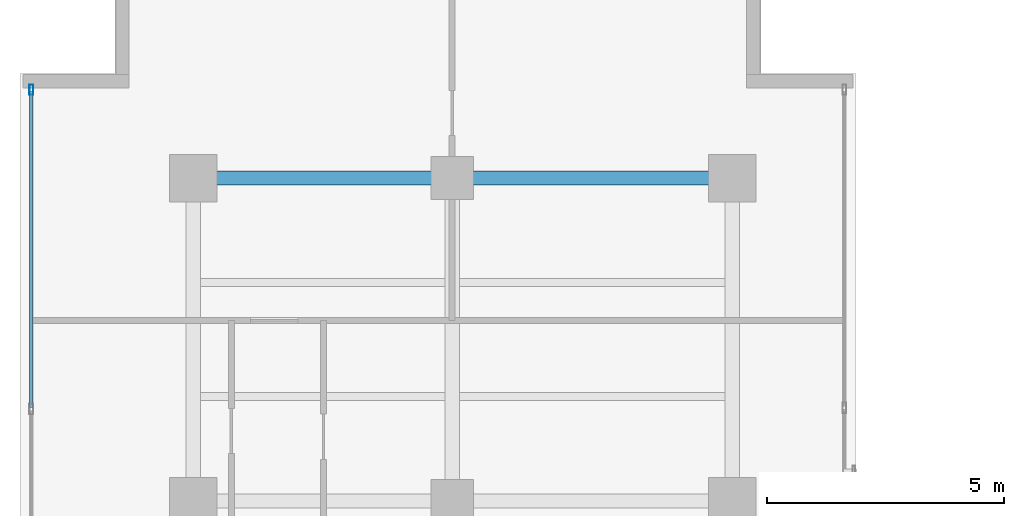
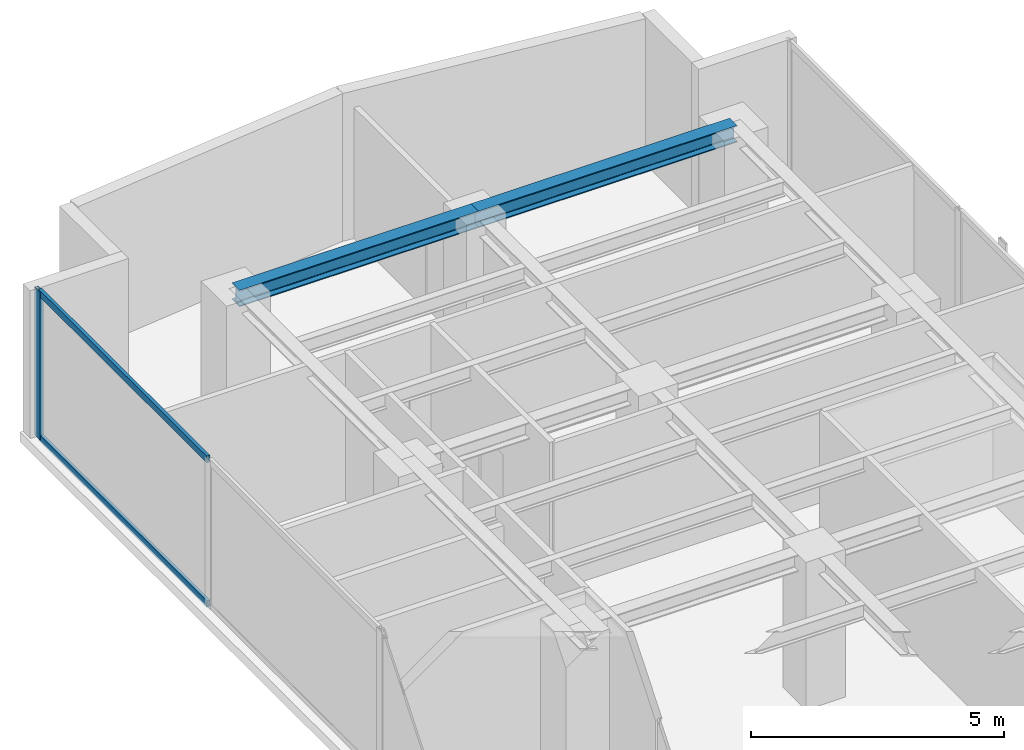
# One storey, part 13 of 23: 3 members, 2 beams, 1 element without a shape of its own.
"""IFC4 building model written with IfcOpenShell, lengths in metres."""

import ifcopenshell
import ifcopenshell.guid

model = None  # the IFC model being written
_history = None  # IfcOwnerHistory: only IFC2X3 demands one
_inside = {}  # id of a spatial element -> (the spatial element, [elements in it])
_under = {}  # id of a project, library or spatial element -> (it, [spatial elements below it])
_declared = {}  # id of a project -> (the project, [libraries it declares])
_typed = {}  # id of a type object -> (the type object, [elements of that type])
_made_of = {}  # id of a material, layer set ... -> (it, [elements and type objects made of it])


def new_model(schema):
    """Start an empty IFC model of exactly this schema.

    Asked for "IFC4X3", IfcOpenShell would pick the latest addendum, in which some entities
    have other attributes; the version numbers below select the first issue.
    IFC2X3 requires an IfcOwnerHistory on every rooted entity: one is made here for all.
    """
    global model, _history
    if schema == "IFC4X3":
        model = ifcopenshell.file(schema_version=(4, 3, 0, 0))
    else:
        model = ifcopenshell.file(schema=schema)
    _inside.clear()
    _under.clear()
    _declared.clear()
    _typed.clear()
    _made_of.clear()
    _history = None
    if model.schema == "IFC2X3":
        org = make("IfcOrganization", Name="unknown")
        user = make(
            "IfcPersonAndOrganization",
            ThePerson=make("IfcPerson", FamilyName="unknown"),
            TheOrganization=org,
        )
        app = make(
            "IfcApplication",
            ApplicationDeveloper=org,
            Version="unknown",
            ApplicationFullName="unknown",
            ApplicationIdentifier="unknown",
        )
        _history = make(
            "IfcOwnerHistory",
            OwningUser=user,
            OwningApplication=app,
            ChangeAction="ADDED",
            CreationDate=0,
        )
    return model


def make(cls, **values):
    """One entity of the class cls with the attributes given. An attribute that is None is left unset."""
    return model.create_entity(
        cls, **{name: value for name, value in values.items() if value is not None}
    )


def rooted(cls, **values):
    """An entity with a GlobalId (a new one), such as an element, a storey or a relation."""
    return make(cls, GlobalId=ifcopenshell.guid.new(), OwnerHistory=_history, **values)


def si_unit(unit_type, name, prefix=None):
    """IfcSIUnit, for example si_unit("LENGTHUNIT", "METRE", prefix="MILLI")."""
    return make("IfcSIUnit", UnitType=unit_type, Prefix=prefix, Name=name)


def assignment(units):
    """IfcUnitAssignment: the units of a project."""
    return None if units is None else make("IfcUnitAssignment", Units=units)


def point(xyz):
    """IfcCartesianPoint."""
    return None if xyz is None else make("IfcCartesianPoint", Coordinates=xyz)


def direction(xyz):
    """IfcDirection."""
    return None if xyz is None else make("IfcDirection", DirectionRatios=xyz)


def frame(location, z_axis=None, x_axis=None):
    """IfcAxis2Placement3D, a coordinate frame: its origin and axes. An axis left out is left unset."""
    return make(
        "IfcAxis2Placement3D",
        Location=point(location),
        Axis=direction(z_axis),
        RefDirection=direction(x_axis),
    )


def frame_2d(location, x_axis=None):
    """IfcAxis2Placement2D, a coordinate frame in the plane: its origin and x axis."""
    return make(
        "IfcAxis2Placement2D", Location=point(location), RefDirection=direction(x_axis)
    )


def origin():
    """The frame at (0, 0, 0) with its axes left unset."""
    return frame((0.0, 0.0, 0.0))


def origin_with_axes():
    """The frame at (0, 0, 0) with the z axis (0, 0, 1) and the x axis (1, 0, 0) written out."""
    return frame((0.0, 0.0, 0.0), z_axis=(0.0, 0.0, 1.0), x_axis=(1.0, 0.0, 0.0))


def origin_2d():
    """The frame at (0, 0) in the plane with its x axis left unset."""
    return frame_2d((0.0, 0.0))


def place(relative_to, where):
    """IfcLocalPlacement: puts the frame where relative to a parent placement (None: the world)."""
    return make(
        "IfcLocalPlacement", PlacementRelTo=relative_to, RelativePlacement=where
    )


def context(
    kind, dimensions, precision=None, world=None, true_north=None, identifier=None
):
    """IfcGeometricRepresentationContext, for example the 3D "Model" context."""
    return make(
        "IfcGeometricRepresentationContext",
        ContextIdentifier=identifier,
        ContextType=kind,
        CoordinateSpaceDimension=dimensions,
        Precision=precision,
        WorldCoordinateSystem=world,
        TrueNorth=true_north,
    )


def subcontext(parent, identifier, kind, view, scale=None):
    """IfcGeometricRepresentationSubContext, for example "Body" below "Model"."""
    return make(
        "IfcGeometricRepresentationSubContext",
        ContextIdentifier=identifier,
        ContextType=kind,
        ParentContext=parent,
        TargetScale=scale,
        TargetView=view,
    )


def project(units=None, contexts=None):
    """IfcProject with its units and contexts."""
    return rooted(
        "IfcProject",
        Name="project",
        RepresentationContexts=contexts,
        UnitsInContext=assignment(units),
    )


def spatial(cls, under=None, at=None, **own):
    """A site, building, storey or space (cls), placed at a placement, below another one or the project."""
    s = rooted(cls, ObjectPlacement=at, **own)
    if under is not None:
        _under.setdefault(under.id(), (under, []))[1].append(s)
    return s


def profile(cls, at=None, kind="AREA", **sizes):
    """A parametric profile (cls). Its sizes go by their IFC names, for example OverallWidth=200.0."""
    return make(cls, ProfileType=kind, Position=at, **sizes)


def hollow_rectangle(**sizes):
    """IfcRectangleHollowProfileDef."""
    return profile("IfcRectangleHollowProfileDef", **sizes)


def i_section(**sizes):
    """IfcIShapeProfileDef."""
    return profile("IfcIShapeProfileDef", **sizes)


def extrude(swept, where, along, depth):
    """IfcExtrudedAreaSolid: the profile swept, set in the frame where, extruded along a direction by depth."""
    return make(
        "IfcExtrudedAreaSolid",
        SweptArea=swept,
        Position=where,
        ExtrudedDirection=direction(along),
        Depth=depth,
    )


def shape(context_of_items, identifier, shape_type, items):
    """IfcShapeRepresentation: the items that make up one representation, for example the "Body"."""
    return make(
        "IfcShapeRepresentation",
        ContextOfItems=context_of_items,
        RepresentationIdentifier=identifier,
        RepresentationType=shape_type,
        Items=items,
    )


def source(mapping_origin, context_of_items, identifier, shape_type, items):
    """IfcRepresentationMap: a shape defined once, which mapped items show again and again."""
    return make(
        "IfcRepresentationMap",
        MappingOrigin=mapping_origin,
        MappedRepresentation=shape(context_of_items, identifier, shape_type, items),
    )


def transform(
    local_origin,
    x_axis=None,
    y_axis=None,
    z_axis=None,
    scale=None,
    scale2=None,
    scale3=None,
    uniform=True,
):
    """IfcCartesianTransformationOperator3D, or its non-uniform kind. x_axis, y_axis, z_axis: its Axis1, 2, 3."""
    if uniform:
        return make(
            "IfcCartesianTransformationOperator3D",
            Axis1=direction(x_axis),
            Axis2=direction(y_axis),
            LocalOrigin=point(local_origin),
            Scale=scale,
            Axis3=direction(z_axis),
        )
    return make(
        "IfcCartesianTransformationOperator3DnonUniform",
        Axis1=direction(x_axis),
        Axis2=direction(y_axis),
        LocalOrigin=point(local_origin),
        Scale=scale,
        Axis3=direction(z_axis),
        Scale2=scale2,
        Scale3=scale3,
    )


def mapped(mapping_source, mapping_target):
    """IfcMappedItem: shows the shape of a source again, moved by a transform."""
    return make(
        "IfcMappedItem", MappingSource=mapping_source, MappingTarget=mapping_target
    )


def material(Name=None, Category=None):
    """IfcMaterial."""
    return make("IfcMaterial", Name=Name, Category=Category)


def layer(
    of_material, thickness, ventilated=None, Name=None, Category=None, Priority=None
):
    """IfcMaterialLayer: one layer of a wall or slab, of a material (None: an air gap)."""
    return make(
        "IfcMaterialLayer",
        Material=of_material,
        LayerThickness=thickness,
        IsVentilated=ventilated,
        Name=Name,
        Category=Category,
        Priority=Priority,
    )


def layer_set(layers, Name=None):
    """IfcMaterialLayerSet."""
    return make("IfcMaterialLayerSet", MaterialLayers=layers, LayerSetName=Name)


def material_profile(
    of_material, cross_section, Name=None, Category=None, Priority=None
):
    """IfcMaterialProfile: a cross section and its material."""
    return make(
        "IfcMaterialProfile",
        Name=Name,
        Material=of_material,
        Profile=cross_section,
        Priority=Priority,
        Category=Category,
    )


def profile_set(profiles, Name=None, composite=None):
    """IfcMaterialProfileSet."""
    return make(
        "IfcMaterialProfileSet",
        Name=Name,
        MaterialProfiles=profiles,
        CompositeProfile=composite,
    )


def made_of(thing, what):
    """Note that an element or type object is made of a material, layer set ...; save() writes the relation."""
    if what is not None:
        _made_of.setdefault(what.id(), (what, []))[1].append(thing)
    return thing


def type_object(cls, material=None, **own):
    """A type object (cls), such as IfcWallType, which elements share."""
    return made_of(rooted(cls, **own), material)


def element(
    cls,
    number,
    at=None,
    inside=None,
    cuts=None,
    type_object=None,
    material=None,
    context=None,
    identifier="Body",
    shape_type=None,
    held_by="IfcProductDefinitionShape",
    body=None,
    shapes=None,
    **own,
):
    """One element of the class cls, such as IfcWall. Its Tag is "e" and its number.

    at: its placement. inside: the storey or other place that contains it. cuts: it is an
    opening in that element (IfcRelVoidsElement). A single representation is given by context,
    identifier, shape_type and body (its items); several are given by shapes. held_by: the class
    of the entity that holds the representations. save() writes the other relations.
    """
    e = rooted(cls, Tag="e%d" % number, ObjectPlacement=at, **own)
    if body is not None:
        shapes = [shape(context, identifier, shape_type, body)]
    if shapes is not None:
        e.Representation = make(held_by, Representations=shapes)
    if inside is not None:
        _inside.setdefault(inside.id(), (inside, []))[1].append(e)
    if cuts is not None:
        rooted(
            "IfcRelVoidsElement", RelatingBuildingElement=cuts, RelatedOpeningElement=e
        )
    if type_object is not None:
        _typed.setdefault(type_object.id(), (type_object, []))[1].append(e)
    return made_of(e, material)


def aggregate(whole, parts):
    """IfcRelAggregates: a whole, such as a stair, and the parts it consists of."""
    return rooted("IfcRelAggregates", RelatingObject=whole, RelatedObjects=parts)


def save(model, path):
    """Write the relations noted so far, then the file.

    IfcRelAggregates (storeys below a building ...), IfcRelContainedInSpatialStructure (elements
    in a storey), IfcRelDefinesByType, IfcRelAssociatesMaterial and IfcRelDeclares: one each for
    every whole, place, type object, material and project.
    """
    for whole, parts in _under.values():
        aggregate(whole, parts)
    for where, things in _inside.values():
        rooted(
            "IfcRelContainedInSpatialStructure",
            RelatedElements=things,
            RelatingStructure=where,
        )
    for kind, things in _typed.values():
        rooted("IfcRelDefinesByType", RelatedObjects=things, RelatingType=kind)
    for what, things in _made_of.values():
        rooted("IfcRelAssociatesMaterial", RelatedObjects=things, RelatingMaterial=what)
    for by, libraries in _declared.values():
        rooted("IfcRelDeclares", RelatingContext=by, RelatedDefinitions=libraries)
    model.write(path)


model = new_model("IFC4")

# Units and contexts
model_context = context("Model", 3, precision=1e-05, world=origin(), true_north=direction((0.0, 1.0)))
body_context = subcontext(model_context, "Body", "Model", "MODEL_VIEW")
ifc_project = project(units=[si_unit("LENGTHUNIT", "METRE"), si_unit("AREAUNIT", "SQUARE_METRE"), si_unit("VOLUMEUNIT", "CUBIC_METRE"), si_unit("PLANEANGLEUNIT", "RADIAN"), si_unit("MASSUNIT", "GRAM", prefix="KILO")], contexts=[model_context])

# Site, building, storey
site_placement = place(None, origin())
site = spatial("IfcSite", under=ifc_project, at=site_placement, CompositionType="ELEMENT")
building_placement = place(site_placement, origin())
building = spatial("IfcBuilding", under=site, at=building_placement, Name="Kolvaren Waterfront Exchange", CompositionType="ELEMENT")
storey_placement = place(building_placement, frame((0.0, 0.0, 212.10009765625)))
storey = spatial("IfcBuildingStorey", under=building, at=storey_placement, Name="L54", CompositionType="ELEMENT", Elevation=212.10009765625)

# Beams
ifc_material_1 = material(Name="Steel S355", Category="steel")
ifc_material_profile_1 = material_profile(ifc_material_1, i_section(OverallWidth=0.300048828125, OverallDepth=0.39990234375, WebThickness=0.013427734375, FlangeThickness=0.02392578125, FilletRadius=0.027099609375, at=origin_2d()), Name="HEB400")
ifc_profile_set_1 = profile_set([ifc_material_profile_1], Name="Steel S355")
beam_type = type_object("IfcBeamType", Name="STR-BM-HEB400", PredefinedType="BEAM", material=ifc_profile_set_1)
beam_1_placement = place(storey_placement, frame((7.449951171875, 44.60009765625, 3.35986328125), z_axis=(1.0, 0.0, 0.0), x_axis=(0.0, 1.0, 0.0)))
element("IfcBeam", 1, at=beam_1_placement, inside=storey, type_object=beam_type, Name="L54 north-arm girder 4A", PredefinedType="BEAM", context=body_context, shape_type="SweptSolid", body=[
    extrude(i_section(OverallWidth=0.300048828125, OverallDepth=0.39990234375, WebThickness=0.013427734375, FlangeThickness=0.02392578125, FilletRadius=0.027099609375, at=origin_2d()), origin(), (0.0, 0.0, 1.0), 5.449951171875),
])
beam_2_placement = place(storey_placement, frame((12.89990234375, 44.60009765625, 3.35986328125), z_axis=(1.0, 0.0, 0.0), x_axis=(0.0, 1.0, 0.0)))
element("IfcBeam", 2, at=beam_2_placement, inside=storey, type_object=beam_type, Name="L54 north-arm girder 4B", PredefinedType="BEAM", context=body_context, shape_type="SweptSolid", body=[
    extrude(i_section(OverallWidth=0.300048828125, OverallDepth=0.39990234375, WebThickness=0.013427734375, FlangeThickness=0.02392578125, FilletRadius=0.027099609375, at=origin_2d()), origin(), (0.0, 0.0, 1.0), 5.900146484375),
])

# Curtain wall, members
ifc_material_2 = material(Name="Anodised aluminium 6063-T6", Category="aluminium")
ifc_layer = layer(ifc_material_2, 0.219970703125, Name="Anodised aluminium 6063-T6")
ifc_layer_set = layer_set([ifc_layer], Name="Anodised aluminium 6063-T6")
curtain_wall_type = type_object("IfcCurtainWallType", Name="ARC-CW-SYS2", PredefinedType="USERDEFINED", material=ifc_layer_set)
curtain_wall_placement = place(storey_placement, origin())
curtain_wall = element("IfcCurtainWall", 3, at=curtain_wall_placement, inside=storey, type_object=curtain_wall_type, Name="L54 stick curtain wall CW2 (CW-L54-W)", ObjectType="STICK CURTAIN WALL", PredefinedType="USERDEFINED")
ifc_material_profile_2 = material_profile(ifc_material_2, hollow_rectangle(XDim=0.074951171875, YDim=0.159912109375, WallThickness=0.00439453125, at=origin_2d()), Name="ALU-TRN-160x75x4.5")
ifc_profile_set_2 = profile_set([ifc_material_profile_2], Name="Anodised aluminium 6063-T6")
member_type_1 = type_object("IfcMemberType", Name="ARC-CWT-160", PredefinedType="USERDEFINED", material=ifc_profile_set_2)
shared_shape_1 = source(origin_with_axes(), body_context, "Body", "SweptSolid", [
    extrude(hollow_rectangle(XDim=0.074951171875, YDim=0.159912109375, WallThickness=0.00439453125, at=origin_2d()), origin(), (0.0, 0.0, 1.0), 6.646484375),
])
member_1_placement = place(storey_placement, frame((4.0400390625, 39.7734375, 0.037353515625), z_axis=(0.0, 1.0, 0.0), x_axis=(-1.0, 0.0, 0.0)))
member_1 = element("IfcMember", 4, at=member_1_placement, type_object=member_type_1, Name="CW2 transom 6.1", ObjectType="TRANSOM", PredefinedType="USERDEFINED", context=body_context, shape_type="MappedRepresentation", body=[
    mapped(shared_shape_1, transform((0.0, 0.0, 0.0), x_axis=(1.0, 0.0, 0.0), y_axis=(0.0, 1.0, 0.0), z_axis=(0.0, 0.0, 1.0), scale=1.0)),
])
member_2_placement = place(storey_placement, frame((4.0400390625, 39.7734375, 3.5224609375), z_axis=(0.0, 1.0, 0.0), x_axis=(-1.0, 0.0, 0.0)))
member_2 = element("IfcMember", 5, at=member_2_placement, type_object=member_type_1, Name="CW2 transom 6.2", ObjectType="TRANSOM", PredefinedType="USERDEFINED", context=body_context, shape_type="MappedRepresentation", body=[
    mapped(shared_shape_1, transform((0.0, 0.0, 0.0), x_axis=(1.0, 0.0, 0.0), y_axis=(0.0, 1.0, 0.0), z_axis=(0.0, 0.0, 1.0), scale=1.0)),
])
ifc_material_profile_3 = material_profile(ifc_material_2, hollow_rectangle(XDim=0.080078125, YDim=0.219970703125, WallThickness=0.0048828125, at=origin_2d()), Name="ALU-MUL-220x80x5")
ifc_profile_set_3 = profile_set([ifc_material_profile_3], Name="Anodised aluminium 6063-T6")
member_type_2 = type_object("IfcMemberType", Name="ARC-CWM-220", PredefinedType="MULLION", material=ifc_profile_set_3)
shared_shape_2 = source(origin_with_axes(), body_context, "Body", "SweptSolid", [
    extrude(hollow_rectangle(XDim=0.080078125, YDim=0.219970703125, WallThickness=0.0048828125, at=origin_2d()), origin(), (0.0, 0.0, 1.0), 3.559814453125),
])
member_3_placement = place(storey_placement, frame((4.0400390625, 46.4599609375, 0.0), z_axis=(0.0, 0.0, 1.0), x_axis=(-1.0, 0.0, 0.0)))
member_3 = element("IfcMember", 6, at=member_3_placement, type_object=member_type_2, Name="CW2 mullion 7", PredefinedType="MULLION", context=body_context, shape_type="MappedRepresentation", body=[
    mapped(shared_shape_2, transform((0.0, 0.0, 0.0), x_axis=(1.0, 0.0, 0.0), y_axis=(0.0, 1.0, 0.0), z_axis=(0.0, 0.0, 1.0), scale=1.0)),
])
aggregate(curtain_wall, [member_3, member_1, member_2])

save(model, "model.ifc")
